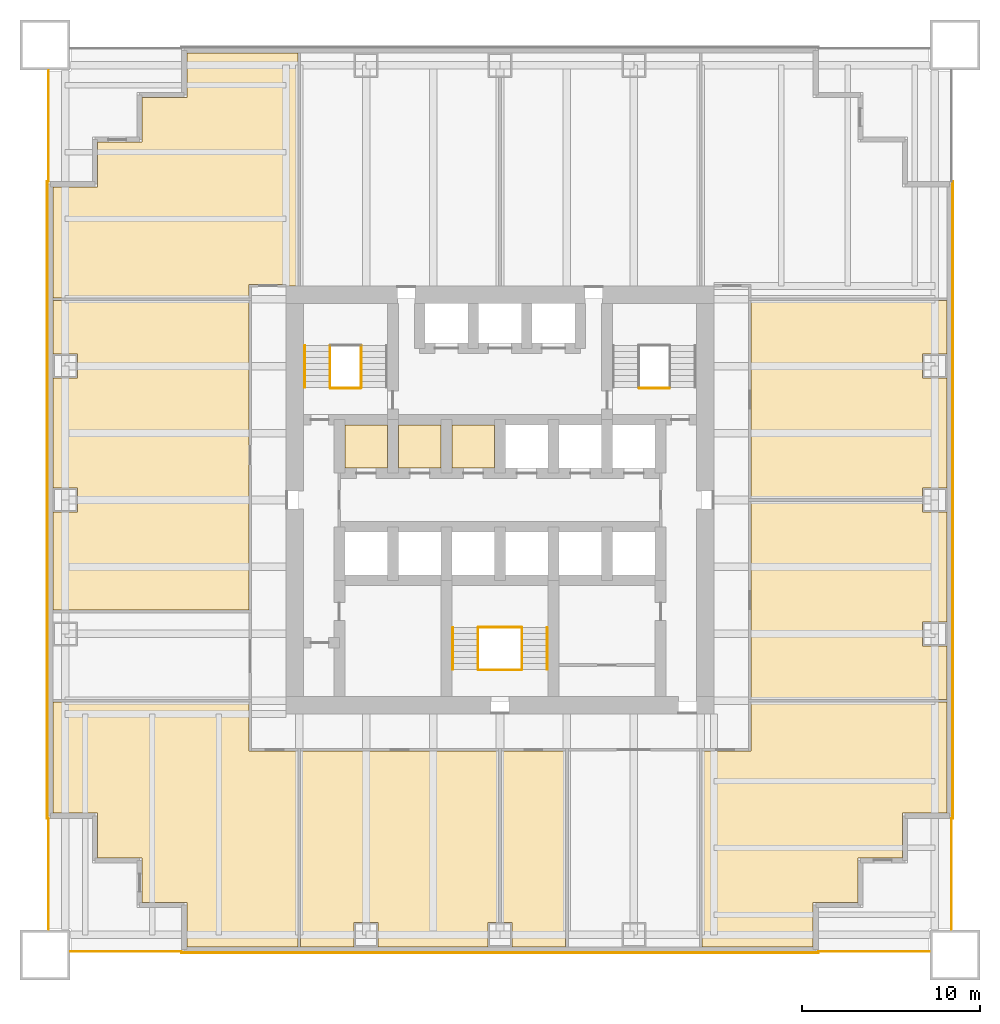
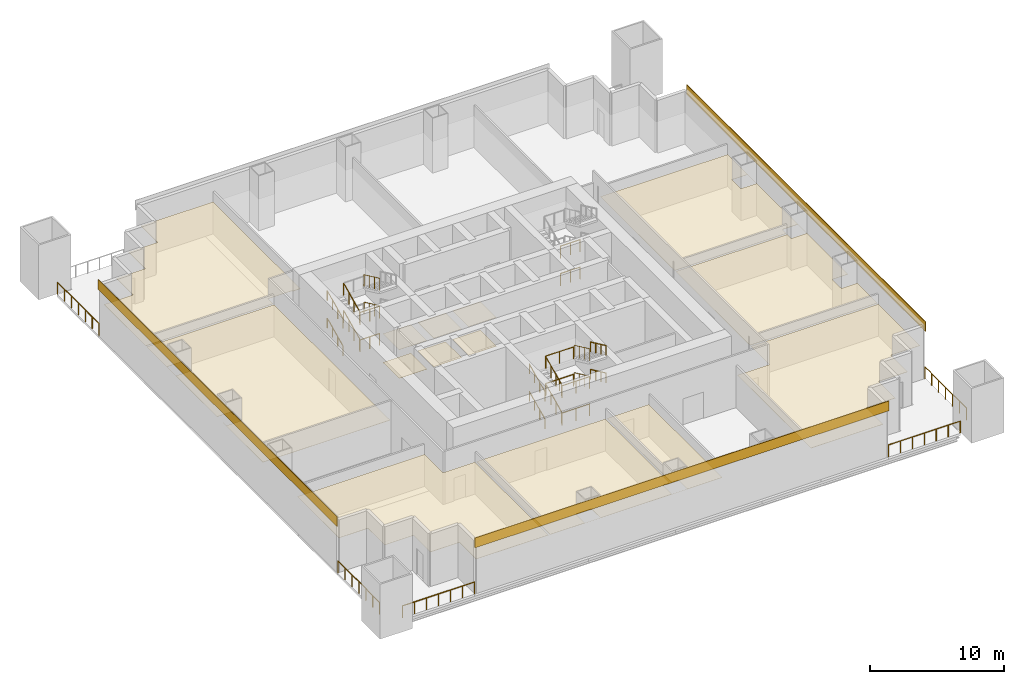
# One storey, part 5 of 6: 27 railings, 17 coverings.
"""IFC4 building model written with IfcOpenShell, lengths in metres."""

from ifc_helpers import new_model, si_unit, direction, frame, origin, origin_2d, place, context, subcontext, project, spatial, polyline, rectangle, circle, outline, extrude, material, layer, layer_set, type_object, element, save


model = new_model("IFC4")

# Units and contexts
model_context = context("Model", 3, precision=1e-05, world=origin(), true_north=direction((0.0, 1.0)))
body_context = subcontext(model_context, "Body", "Model", "MODEL_VIEW")
ifc_project = project(units=[si_unit("LENGTHUNIT", "METRE"), si_unit("AREAUNIT", "SQUARE_METRE"), si_unit("VOLUMEUNIT", "CUBIC_METRE"), si_unit("PLANEANGLEUNIT", "RADIAN"), si_unit("MASSUNIT", "GRAM", prefix="KILO")], contexts=[model_context])

# Site, building, storey
site_placement = place(None, origin())
site = spatial("IfcSite", under=ifc_project, at=site_placement, CompositionType="ELEMENT")
building_placement = place(site_placement, origin())
building = spatial("IfcBuilding", under=site, at=building_placement, Name="Tarangal Relay Tower", CompositionType="ELEMENT")
storey_placement = place(building_placement, frame((0.0, 0.0, 63.39990234375)))
storey = spatial("IfcBuildingStorey", under=building, at=storey_placement, Name="L12", CompositionType="ELEMENT", Elevation=63.39990234375)

# Coverings
ifc_material_1 = material(Name="Anti-static vinyl flooring", Category="plastic")
ifc_layer_1 = layer(ifc_material_1, 0.010009765625)
ifc_layer_set_1 = layer_set([ifc_layer_1], Name="Anti-static vinyl floor")
covering_type_1 = type_object("IfcCoveringType", Name="Anti-static vinyl floor", PredefinedType="FLOORING", material=ifc_layer_set_1)
covering_1_placement = place(storey_placement, origin())
element("IfcCovering", 1, at=covering_1_placement, inside=storey, type_object=covering_type_1, Name="Floor finish FL1 L12-D1", PredefinedType="FLOORING", context=body_context, shape_type="SweptSolid", body=[
    extrude(outline(polyline([(-8.699951171875, 1.800048828125), (-6.300048828125, 1.800048828125), (-6.300048828125, 4.199951171875), (-8.699951171875, 4.199951171875), (-8.699951171875, 1.800048828125)])), origin(), (0.0, 0.0, 1.0), 0.010009765625),
])
covering_2_placement = place(storey_placement, origin())
element("IfcCovering", 2, at=covering_2_placement, inside=storey, type_object=covering_type_1, Name="Floor finish FL1 L12-D2", PredefinedType="FLOORING", context=body_context, shape_type="SweptSolid", body=[
    extrude(outline(polyline([(-5.699951171875, 1.800048828125), (-3.300048828125, 1.800048828125), (-3.300048828125, 4.199951171875), (-5.699951171875, 4.199951171875), (-5.699951171875, 1.800048828125)])), origin(), (0.0, 0.0, 1.0), 0.010009765625),
])
covering_3_placement = place(storey_placement, origin())
element("IfcCovering", 3, at=covering_3_placement, inside=storey, type_object=covering_type_1, Name="Floor finish FL1 L12-D3", PredefinedType="FLOORING", context=body_context, shape_type="SweptSolid", body=[
    extrude(outline(polyline([(-2.699951171875, 1.800048828125), (-0.300048828125, 1.800048828125), (-0.300048828125, 4.199951171875), (-2.699951171875, 4.199951171875), (-2.699951171875, 1.800048828125)])), origin(), (0.0, 0.0, 1.0), 0.010009765625),
])
ifc_material_2 = material(Name="Black anodised aluminium cladding", Category="aluminium")
ifc_layer_2 = layer(ifc_material_2, 0.050048828125)
ifc_layer_set_2 = layer_set([ifc_layer_2], Name="Black metal spandrel band")
covering_type_2 = type_object("IfcCoveringType", Name="Black metal spandrel band", PredefinedType="CLADDING", material=ifc_layer_set_2)
for number, where, z_axis, x_axis, name in (
    (4, (25.375, 0.0, 4.250244140625), (0.0, 0.0, 1.0), (0.0, -1.0, 0.0), "Spandrel band SB1 E L12"),
    (5, (0.0, -25.375, 4.250244140625), (0.0, 0.0, 1.0), (-1.0, 0.0, 0.0), "Spandrel band SB1 S L12"),
    (6, (-25.375, 0.0, 4.250244140625), (0.0, 0.0, 1.0), (0.0, 1.0, 0.0), "Spandrel band SB1 W L12"),
):
    element("IfcCovering", number, at=place(storey_placement, frame(where, z_axis=z_axis, x_axis=x_axis)), inside=storey, type_object=covering_type_2, Name=name, PredefinedType="CLADDING", context=body_context, shape_type="SweptSolid", body=[
        extrude(rectangle(XDim=35.699951171875, YDim=0.050048828125, at=origin_2d()), origin(), (0.0, 0.0, 1.0), 0.89990234375),
    ])

# Railings
ifc_material_3 = material(Name="Steel guard, black finish", Category="steel")
railing_type_1 = type_object("IfcRailingType", Name="Stair guard 1100", PredefinedType="GUARDRAIL", material=ifc_material_3)
railing_1_placement = place(storey_placement, frame((-9.530029296875, 6.300048828125, 0.15625)))
element("IfcRailing", 7, at=railing_1_placement, inside=storey, type_object=railing_type_1, Name="Stair ST-A guard GR1 L12 flight 1", PredefinedType="GUARDRAIL", context=body_context, shape_type="SweptSolid", body=[
    extrude(circle(Radius=0.02392578125, at=origin_2d()), frame((0.0, 0.0, 1.076171875), z_axis=(0.0, 0.90626748934, 0.422704669676), x_axis=(-1.0, 0.0, 0.0)), (0.0, 0.0, 1.0), 2.58740234375),
    extrude(circle(Radius=0.02099609375, at=origin_2d()), origin(), (0.0, 0.0, 1.0), 1.052001953125),
    extrude(circle(Radius=0.02099609375, at=origin_2d()), frame((0.0, 0.78173828125, 0.364501953125)), (0.0, 0.0, 1.0), 1.052001953125),
    extrude(circle(Radius=0.02099609375, at=origin_2d()), frame((0.0, 1.563232421875, 0.729248046875)), (0.0, 0.0, 1.0), 1.052001953125),
    extrude(circle(Radius=0.02099609375, at=origin_2d()), frame((0.0, 2.344970703125, 1.09375)), (0.0, 0.0, 1.0), 1.052001953125),
])
railing_2_placement = place(storey_placement, frame((-7.77001953125, 8.64501953125, 1.406494140625)))
element("IfcRailing", 8, at=railing_2_placement, inside=storey, type_object=railing_type_1, Name="Stair ST-A guard GR1 L12 flight 2", PredefinedType="GUARDRAIL", context=body_context, shape_type="SweptSolid", body=[
    extrude(circle(Radius=0.02392578125, at=origin_2d()), frame((0.0, 0.0, 1.076171875), z_axis=(0.0, -0.906303632821, 0.42262717037), x_axis=(1.0, 0.0, 0.0)), (0.0, 0.0, 1.0), 2.58740234375),
    extrude(circle(Radius=0.02099609375, at=origin_2d()), origin(), (0.0, 0.0, 1.0), 1.052001953125),
    extrude(circle(Radius=0.02099609375, at=origin_2d()), frame((0.0, -0.78173828125, 0.364501953125)), (0.0, 0.0, 1.0), 1.052001953125),
    extrude(circle(Radius=0.02099609375, at=origin_2d()), frame((0.0, -1.563232421875, 0.72900390625)), (0.0, 0.0, 1.0), 1.052001953125),
    extrude(circle(Radius=0.02099609375, at=origin_2d()), frame((0.0, -2.344970703125, 1.093505859375)), (0.0, 0.0, 1.0), 1.052001953125),
])
railing_3_placement = place(storey_placement, frame((-9.530029296875, 6.300048828125, 2.656494140625)))
element("IfcRailing", 9, at=railing_3_placement, inside=storey, type_object=railing_type_1, Name="Stair ST-A guard GR1 L12 flight 3", PredefinedType="GUARDRAIL", context=body_context, shape_type="SweptSolid", body=[
    extrude(circle(Radius=0.02392578125, at=origin_2d()), frame((0.0, 0.0, 1.076171875), z_axis=(0.0, 0.906303632821, 0.42262717037), x_axis=(-1.0, 0.0, 0.0)), (0.0, 0.0, 1.0), 2.58740234375),
    extrude(circle(Radius=0.02099609375, at=origin_2d()), origin(), (0.0, 0.0, 1.0), 1.052001953125),
    extrude(circle(Radius=0.02099609375, at=origin_2d()), frame((0.0, 0.78173828125, 0.364501953125)), (0.0, 0.0, 1.0), 1.052001953125),
    extrude(circle(Radius=0.02099609375, at=origin_2d()), frame((0.0, 1.563232421875, 0.72900390625)), (0.0, 0.0, 1.0), 1.052001953125),
    extrude(circle(Radius=0.02099609375, at=origin_2d()), frame((0.0, 2.344970703125, 1.093505859375)), (0.0, 0.0, 1.0), 1.052001953125),
])
railing_4_placement = place(storey_placement, frame((-7.77001953125, 8.64501953125, 3.906494140625)))
element("IfcRailing", 10, at=railing_4_placement, inside=storey, type_object=railing_type_1, Name="Stair ST-A guard GR1 L12 flight 4", PredefinedType="GUARDRAIL", context=body_context, shape_type="SweptSolid", body=[
    extrude(circle(Radius=0.02392578125, at=origin_2d()), frame((0.0, 0.0, 1.076171875), z_axis=(0.0, -0.906303632821, 0.42262717037), x_axis=(1.0, 0.0, 0.0)), (0.0, 0.0, 1.0), 2.58740234375),
    extrude(circle(Radius=0.02099609375, at=origin_2d()), origin(), (0.0, 0.0, 1.0), 1.052001953125),
    extrude(circle(Radius=0.02099609375, at=origin_2d()), frame((0.0, -0.78173828125, 0.364501953125)), (0.0, 0.0, 1.0), 1.052001953125),
    extrude(circle(Radius=0.02099609375, at=origin_2d()), frame((0.0, -1.563232421875, 0.72900390625)), (0.0, 0.0, 1.0), 1.052001953125),
    extrude(circle(Radius=0.02099609375, at=origin_2d()), frame((0.0, -2.344970703125, 1.093505859375)), (0.0, 0.0, 1.0), 1.052001953125),
])
for number, where, name in (
    (11, (-9.5, 6.27001953125, 0.0), "Stair ST-A landing guard GR1 L12"),
    (12, (-9.5, 6.27001953125, 2.5), "Stair ST-A landing guard GR1 L12"),
    (13, (7.800048828125, 6.27001953125, 0.0), "Stair ST-B landing guard GR1 L12"),
    (14, (7.800048828125, 6.27001953125, 2.5), "Stair ST-B landing guard GR1 L12"),
):
    element("IfcRailing", number, at=place(storey_placement, frame(where)), inside=storey, type_object=railing_type_1, Name=name, PredefinedType="GUARDRAIL", context=body_context, shape_type="SweptSolid", body=[
        extrude(circle(Radius=0.02392578125, at=origin_2d()), frame((0.0, 0.0, 1.076171875), z_axis=(1.0, 0.0, 0.0), x_axis=(0.0, 1.0, 0.0)), (0.0, 0.0, 1.0), 1.699951171875),
        extrude(circle(Radius=0.02099609375, at=origin_2d()), origin(), (0.0, 0.0, 1.0), 1.052001953125),
        extrude(circle(Radius=0.02099609375, at=origin_2d()), frame((0.85009765625, 0.0, 0.0)), (0.0, 0.0, 1.0), 1.052001953125),
        extrude(circle(Radius=0.02099609375, at=origin_2d()), frame((1.699951171875, 0.0, 0.0)), (0.0, 0.0, 1.0), 1.052001953125),
    ])
railing_5_placement = place(storey_placement, frame((-1.22998046875, -9.5, 0.15625)))
element("IfcRailing", 15, at=railing_5_placement, inside=storey, type_object=railing_type_1, Name="Stair ST-C guard GR1 L12 flight 1", PredefinedType="GUARDRAIL", context=body_context, shape_type="SweptSolid", body=[
    extrude(circle(Radius=0.02392578125, at=origin_2d()), frame((0.0, 0.0, 1.076171875), z_axis=(0.0, 0.90626748934, 0.422704669676), x_axis=(-1.0, 0.0, 0.0)), (0.0, 0.0, 1.0), 2.58740234375),
    extrude(circle(Radius=0.02099609375, at=origin_2d()), origin(), (0.0, 0.0, 1.0), 1.052001953125),
    extrude(circle(Radius=0.02099609375, at=origin_2d()), frame((0.0, 0.78173828125, 0.364501953125)), (0.0, 0.0, 1.0), 1.052001953125),
    extrude(circle(Radius=0.02099609375, at=origin_2d()), frame((0.0, 1.563232421875, 0.729248046875)), (0.0, 0.0, 1.0), 1.052001953125),
    extrude(circle(Radius=0.02099609375, at=origin_2d()), frame((0.0, 2.344970703125, 1.09375)), (0.0, 0.0, 1.0), 1.052001953125),
])
railing_6_placement = place(storey_placement, frame((1.22998046875, -7.155029296875, 1.406494140625)))
element("IfcRailing", 16, at=railing_6_placement, inside=storey, type_object=railing_type_1, Name="Stair ST-C guard GR1 L12 flight 2", PredefinedType="GUARDRAIL", context=body_context, shape_type="SweptSolid", body=[
    extrude(circle(Radius=0.02392578125, at=origin_2d()), frame((0.0, 0.0, 1.076171875), z_axis=(0.0, -0.906303632821, 0.42262717037), x_axis=(1.0, 0.0, 0.0)), (0.0, 0.0, 1.0), 2.58740234375),
    extrude(circle(Radius=0.02099609375, at=origin_2d()), origin(), (0.0, 0.0, 1.0), 1.052001953125),
    extrude(circle(Radius=0.02099609375, at=origin_2d()), frame((0.0, -0.78173828125, 0.364501953125)), (0.0, 0.0, 1.0), 1.052001953125),
    extrude(circle(Radius=0.02099609375, at=origin_2d()), frame((0.0, -1.563232421875, 0.72900390625)), (0.0, 0.0, 1.0), 1.052001953125),
    extrude(circle(Radius=0.02099609375, at=origin_2d()), frame((0.0, -2.344970703125, 1.093505859375)), (0.0, 0.0, 1.0), 1.052001953125),
])
railing_7_placement = place(storey_placement, frame((-1.22998046875, -9.5, 2.656494140625)))
element("IfcRailing", 17, at=railing_7_placement, inside=storey, type_object=railing_type_1, Name="Stair ST-C guard GR1 L12 flight 3", PredefinedType="GUARDRAIL", context=body_context, shape_type="SweptSolid", body=[
    extrude(circle(Radius=0.02392578125, at=origin_2d()), frame((0.0, 0.0, 1.076171875), z_axis=(0.0, 0.906303632821, 0.42262717037), x_axis=(-1.0, 0.0, 0.0)), (0.0, 0.0, 1.0), 2.58740234375),
    extrude(circle(Radius=0.02099609375, at=origin_2d()), origin(), (0.0, 0.0, 1.0), 1.052001953125),
    extrude(circle(Radius=0.02099609375, at=origin_2d()), frame((0.0, 0.78173828125, 0.364501953125)), (0.0, 0.0, 1.0), 1.052001953125),
    extrude(circle(Radius=0.02099609375, at=origin_2d()), frame((0.0, 1.563232421875, 0.72900390625)), (0.0, 0.0, 1.0), 1.052001953125),
    extrude(circle(Radius=0.02099609375, at=origin_2d()), frame((0.0, 2.344970703125, 1.093505859375)), (0.0, 0.0, 1.0), 1.052001953125),
])
railing_8_placement = place(storey_placement, frame((1.22998046875, -7.155029296875, 3.906494140625)))
element("IfcRailing", 18, at=railing_8_placement, inside=storey, type_object=railing_type_1, Name="Stair ST-C guard GR1 L12 flight 4", PredefinedType="GUARDRAIL", context=body_context, shape_type="SweptSolid", body=[
    extrude(circle(Radius=0.02392578125, at=origin_2d()), frame((0.0, 0.0, 1.076171875), z_axis=(0.0, -0.906303632821, 0.42262717037), x_axis=(1.0, 0.0, 0.0)), (0.0, 0.0, 1.0), 2.58740234375),
    extrude(circle(Radius=0.02099609375, at=origin_2d()), origin(), (0.0, 0.0, 1.0), 1.052001953125),
    extrude(circle(Radius=0.02099609375, at=origin_2d()), frame((0.0, -0.78173828125, 0.364501953125)), (0.0, 0.0, 1.0), 1.052001953125),
    extrude(circle(Radius=0.02099609375, at=origin_2d()), frame((0.0, -1.563232421875, 0.72900390625)), (0.0, 0.0, 1.0), 1.052001953125),
    extrude(circle(Radius=0.02099609375, at=origin_2d()), frame((0.0, -2.344970703125, 1.093505859375)), (0.0, 0.0, 1.0), 1.052001953125),
])
for number, where, name in (
    (19, (-1.199951171875, -9.530029296875, 0.0), "Stair ST-C landing guard GR1 L12"),
    (20, (-1.199951171875, -7.125, 1.25), "Stair ST-C landing guard GR1 L12"),
    (21, (-1.199951171875, -9.530029296875, 2.5), "Stair ST-C landing guard GR1 L12"),
    (22, (-1.199951171875, -7.125, 3.75), "Stair ST-C landing guard GR1 L12"),
):
    element("IfcRailing", number, at=place(storey_placement, frame(where)), inside=storey, type_object=railing_type_1, Name=name, PredefinedType="GUARDRAIL", context=body_context, shape_type="SweptSolid", body=[
        extrude(circle(Radius=0.02392578125, at=origin_2d()), frame((0.0, 0.0, 1.076171875), z_axis=(1.0, 0.0, 0.0), x_axis=(0.0, 1.0, 0.0)), (0.0, 0.0, 1.0), 2.39990234375),
        extrude(circle(Radius=0.02099609375, at=origin_2d()), origin(), (0.0, 0.0, 1.0), 1.052001953125),
        extrude(circle(Radius=0.02099609375, at=origin_2d()), frame((1.199951171875, 0.0, 0.0)), (0.0, 0.0, 1.0), 1.052001953125),
        extrude(circle(Radius=0.02099609375, at=origin_2d()), frame((2.39990234375, 0.0, 0.0)), (0.0, 0.0, 1.0), 1.052001953125),
    ])
ifc_material_4 = material(Name="Steel handrail, black finish", Category="steel")
railing_type_2 = type_object("IfcRailingType", Name="Stair handrail 900", PredefinedType="HANDRAIL", material=ifc_material_4)
railing_9_placement = place(storey_placement, frame((-10.93994140625, 6.300048828125, 0.15625)))
element("IfcRailing", 23, at=railing_9_placement, inside=storey, type_object=railing_type_2, Name="Stair ST-A handrail HR1 L12 flight 1", PredefinedType="HANDRAIL", context=body_context, shape_type="SweptSolid", body=[
    extrude(circle(Radius=0.02392578125, at=origin_2d()), frame((0.0, 0.0, 0.8759765625), z_axis=(0.0, 0.90626748934, 0.422704669676), x_axis=(-1.0, 0.0, 0.0)), (0.0, 0.0, 1.0), 2.58740234375),
    extrude(circle(Radius=0.02099609375, at=origin_2d()), origin(), (0.0, 0.0, 1.0), 0.851806640625),
    extrude(circle(Radius=0.02099609375, at=origin_2d()), frame((0.0, 0.78173828125, 0.364501953125)), (0.0, 0.0, 1.0), 0.851806640625),
    extrude(circle(Radius=0.02099609375, at=origin_2d()), frame((0.0, 1.563232421875, 0.729248046875)), (0.0, 0.0, 1.0), 0.851806640625),
    extrude(circle(Radius=0.02099609375, at=origin_2d()), frame((0.0, 2.344970703125, 1.09375)), (0.0, 0.0, 1.0), 0.851806640625),
])
railing_10_placement = place(storey_placement, frame((-10.93994140625, 6.300048828125, 2.656494140625)))
element("IfcRailing", 24, at=railing_10_placement, inside=storey, type_object=railing_type_2, Name="Stair ST-A handrail HR1 L12 flight 3", PredefinedType="HANDRAIL", context=body_context, shape_type="SweptSolid", body=[
    extrude(circle(Radius=0.02392578125, at=origin_2d()), frame((0.0, 0.0, 0.8759765625), z_axis=(0.0, 0.906303632821, 0.42262717037), x_axis=(-1.0, 0.0, 0.0)), (0.0, 0.0, 1.0), 2.58740234375),
    extrude(circle(Radius=0.02099609375, at=origin_2d()), origin(), (0.0, 0.0, 1.0), 0.851806640625),
    extrude(circle(Radius=0.02099609375, at=origin_2d()), frame((0.0, 0.78173828125, 0.364501953125)), (0.0, 0.0, 1.0), 0.851806640625),
    extrude(circle(Radius=0.02099609375, at=origin_2d()), frame((0.0, 1.563232421875, 0.72900390625)), (0.0, 0.0, 1.0), 0.851806640625),
    extrude(circle(Radius=0.02099609375, at=origin_2d()), frame((0.0, 2.344970703125, 1.093505859375)), (0.0, 0.0, 1.0), 0.851806640625),
])
railing_11_placement = place(storey_placement, frame((-2.639892578125, -9.5, 0.15625)))
element("IfcRailing", 25, at=railing_11_placement, inside=storey, type_object=railing_type_2, Name="Stair ST-C handrail HR1 L12 flight 1", PredefinedType="HANDRAIL", context=body_context, shape_type="SweptSolid", body=[
    extrude(circle(Radius=0.02392578125, at=origin_2d()), frame((0.0, 0.0, 0.8759765625), z_axis=(0.0, 0.90626748934, 0.422704669676), x_axis=(-1.0, 0.0, 0.0)), (0.0, 0.0, 1.0), 2.58740234375),
    extrude(circle(Radius=0.02099609375, at=origin_2d()), origin(), (0.0, 0.0, 1.0), 0.851806640625),
    extrude(circle(Radius=0.02099609375, at=origin_2d()), frame((0.0, 0.78173828125, 0.364501953125)), (0.0, 0.0, 1.0), 0.851806640625),
    extrude(circle(Radius=0.02099609375, at=origin_2d()), frame((0.0, 1.563232421875, 0.729248046875)), (0.0, 0.0, 1.0), 0.851806640625),
    extrude(circle(Radius=0.02099609375, at=origin_2d()), frame((0.0, 2.344970703125, 1.09375)), (0.0, 0.0, 1.0), 0.851806640625),
])
railing_12_placement = place(storey_placement, frame((2.639892578125, -7.155029296875, 1.406494140625)))
element("IfcRailing", 26, at=railing_12_placement, inside=storey, type_object=railing_type_2, Name="Stair ST-C handrail HR1 L12 flight 2", PredefinedType="HANDRAIL", context=body_context, shape_type="SweptSolid", body=[
    extrude(circle(Radius=0.02392578125, at=origin_2d()), frame((0.0, 0.0, 0.8759765625), z_axis=(0.0, -0.906303632821, 0.42262717037), x_axis=(1.0, 0.0, 0.0)), (0.0, 0.0, 1.0), 2.58740234375),
    extrude(circle(Radius=0.02099609375, at=origin_2d()), origin(), (0.0, 0.0, 1.0), 0.851806640625),
    extrude(circle(Radius=0.02099609375, at=origin_2d()), frame((0.0, -0.78173828125, 0.364501953125)), (0.0, 0.0, 1.0), 0.851806640625),
    extrude(circle(Radius=0.02099609375, at=origin_2d()), frame((0.0, -1.563232421875, 0.72900390625)), (0.0, 0.0, 1.0), 0.851806640625),
    extrude(circle(Radius=0.02099609375, at=origin_2d()), frame((0.0, -2.344970703125, 1.093505859375)), (0.0, 0.0, 1.0), 0.851806640625),
])
railing_13_placement = place(storey_placement, frame((-2.639892578125, -9.5, 2.656494140625)))
element("IfcRailing", 27, at=railing_13_placement, inside=storey, type_object=railing_type_2, Name="Stair ST-C handrail HR1 L12 flight 3", PredefinedType="HANDRAIL", context=body_context, shape_type="SweptSolid", body=[
    extrude(circle(Radius=0.02392578125, at=origin_2d()), frame((0.0, 0.0, 0.8759765625), z_axis=(0.0, 0.906303632821, 0.42262717037), x_axis=(-1.0, 0.0, 0.0)), (0.0, 0.0, 1.0), 2.58740234375),
    extrude(circle(Radius=0.02099609375, at=origin_2d()), origin(), (0.0, 0.0, 1.0), 0.851806640625),
    extrude(circle(Radius=0.02099609375, at=origin_2d()), frame((0.0, 0.78173828125, 0.364501953125)), (0.0, 0.0, 1.0), 0.851806640625),
    extrude(circle(Radius=0.02099609375, at=origin_2d()), frame((0.0, 1.563232421875, 0.72900390625)), (0.0, 0.0, 1.0), 0.851806640625),
    extrude(circle(Radius=0.02099609375, at=origin_2d()), frame((0.0, 2.344970703125, 1.093505859375)), (0.0, 0.0, 1.0), 0.851806640625),
])
railing_14_placement = place(storey_placement, frame((2.639892578125, -7.155029296875, 3.906494140625)))
element("IfcRailing", 28, at=railing_14_placement, inside=storey, type_object=railing_type_2, Name="Stair ST-C handrail HR1 L12 flight 4", PredefinedType="HANDRAIL", context=body_context, shape_type="SweptSolid", body=[
    extrude(circle(Radius=0.02392578125, at=origin_2d()), frame((0.0, 0.0, 0.8759765625), z_axis=(0.0, -0.906303632821, 0.42262717037), x_axis=(1.0, 0.0, 0.0)), (0.0, 0.0, 1.0), 2.58740234375),
    extrude(circle(Radius=0.02099609375, at=origin_2d()), origin(), (0.0, 0.0, 1.0), 0.851806640625),
    extrude(circle(Radius=0.02099609375, at=origin_2d()), frame((0.0, -0.78173828125, 0.364501953125)), (0.0, 0.0, 1.0), 0.851806640625),
    extrude(circle(Radius=0.02099609375, at=origin_2d()), frame((0.0, -1.563232421875, 0.72900390625)), (0.0, 0.0, 1.0), 0.851806640625),
    extrude(circle(Radius=0.02099609375, at=origin_2d()), frame((0.0, -2.344970703125, 1.093505859375)), (0.0, 0.0, 1.0), 0.851806640625),
])

# Coverings
ifc_material_5 = material(Name="Mineral fibre ceiling tiles", Category="gypsum")
ifc_layer_3 = layer(ifc_material_5, 0.02001953125)
ifc_layer_set_3 = layer_set([ifc_layer_3], Name="Suspended ceiling")
covering_type_3 = type_object("IfcCoveringType", Name="Suspended ceiling", PredefinedType="CEILING", material=ifc_layer_set_3)
covering_4_placement = place(storey_placement, frame((0.0, 0.0, 2.60009765625)))
element("IfcCovering", 29, at=covering_4_placement, inside=storey, type_object=covering_type_3, Name="Suspended ceiling CL1 L12-D1", PredefinedType="CEILING", context=body_context, shape_type="SweptSolid", body=[
    extrude(outline(polyline([(-8.699951171875, 1.800048828125), (-6.300048828125, 1.800048828125), (-6.300048828125, 4.199951171875), (-8.699951171875, 4.199951171875), (-8.699951171875, 1.800048828125)])), origin(), (0.0, 0.0, 1.0), 0.02001953125),
])
covering_5_placement = place(storey_placement, frame((0.0, 0.0, 2.60009765625)))
element("IfcCovering", 30, at=covering_5_placement, inside=storey, type_object=covering_type_3, Name="Suspended ceiling CL1 L12-D2", PredefinedType="CEILING", context=body_context, shape_type="SweptSolid", body=[
    extrude(outline(polyline([(-5.699951171875, 1.800048828125), (-3.300048828125, 1.800048828125), (-3.300048828125, 4.199951171875), (-5.699951171875, 4.199951171875), (-5.699951171875, 1.800048828125)])), origin(), (0.0, 0.0, 1.0), 0.02001953125),
])
covering_6_placement = place(storey_placement, frame((0.0, 0.0, 2.60009765625)))
element("IfcCovering", 31, at=covering_6_placement, inside=storey, type_object=covering_type_3, Name="Suspended ceiling CL1 L12-D3", PredefinedType="CEILING", context=body_context, shape_type="SweptSolid", body=[
    extrude(outline(polyline([(-2.699951171875, 1.800048828125), (-0.300048828125, 1.800048828125), (-0.300048828125, 4.199951171875), (-2.699951171875, 4.199951171875), (-2.699951171875, 1.800048828125)])), origin(), (0.0, 0.0, 1.0), 0.02001953125),
])
covering_7_placement = place(storey_placement, frame((0.0, 0.0, 2.900146484375)))
element("IfcCovering", 32, at=covering_7_placement, inside=storey, type_object=covering_type_3, Name="Suspended ceiling CL1 L12-04", PredefinedType="CEILING", context=body_context, shape_type="SweptSolid", body=[
    extrude(outline(polyline([(25.050048828125, 0.0), (25.050048828125, 11.175048828125), (14.074951171875, 11.175048828125), (14.074951171875, 0.074951171875), (23.68994140625, 0.074951171875), (23.68994140625, 0.675048828125), (25.0400390625, 0.675048828125), (25.0400390625, 0.0), (25.050048828125, 0.0)]), holes=[polyline([(25.0400390625, 6.824951171875), (25.0400390625, 8.175048828125), (23.68994140625, 8.175048828125), (23.68994140625, 6.824951171875), (25.0400390625, 6.824951171875)])]), origin(), (0.0, 0.0, 1.0), 0.02001953125),
])
covering_8_placement = place(storey_placement, frame((0.0, 0.0, 2.900146484375)))
element("IfcCovering", 33, at=covering_8_placement, inside=storey, type_object=covering_type_3, Name="Suspended ceiling CL1 L12-05", PredefinedType="CEILING", context=body_context, shape_type="SweptSolid", body=[
    extrude(outline(polyline([(25.050048828125, -11.175048828125), (25.050048828125, 0.0), (25.0400390625, 0.0), (25.0400390625, -0.675048828125), (23.68994140625, -0.675048828125), (23.68994140625, -0.074951171875), (14.074951171875, -0.074951171875), (14.074951171875, -11.175048828125), (25.050048828125, -11.175048828125)]), holes=[polyline([(25.0400390625, -8.175048828125), (25.0400390625, -6.824951171875), (23.68994140625, -6.824951171875), (23.68994140625, -8.175048828125), (25.0400390625, -8.175048828125)])]), origin(), (0.0, 0.0, 1.0), 0.02001953125),
])
covering_9_placement = place(storey_placement, frame((0.0, 0.0, 2.900146484375)))
element("IfcCovering", 34, at=covering_9_placement, inside=storey, type_object=covering_type_3, Name="Suspended ceiling CL1 L12-07", PredefinedType="CEILING", context=body_context, shape_type="SweptSolid", body=[
    extrude(outline(polyline([(0.0, -25.050048828125), (3.675048828125, -25.050048828125), (3.675048828125, -14.074951171875), (0.074951171875, -14.074951171875), (0.074951171875, -23.68994140625), (0.675048828125, -23.68994140625), (0.675048828125, -25.0400390625), (0.0, -25.0400390625), (0.0, -25.050048828125)])), origin(), (0.0, 0.0, 1.0), 0.02001953125),
])
covering_10_placement = place(storey_placement, frame((0.0, 0.0, 2.900146484375)))
element("IfcCovering", 35, at=covering_10_placement, inside=storey, type_object=covering_type_3, Name="Suspended ceiling CL1 L12-08", PredefinedType="CEILING", context=body_context, shape_type="SweptSolid", body=[
    extrude(outline(polyline([(-11.175048828125, -25.050048828125), (0.0, -25.050048828125), (0.0, -25.0400390625), (-0.675048828125, -25.0400390625), (-0.675048828125, -23.68994140625), (-0.074951171875, -23.68994140625), (-0.074951171875, -14.074951171875), (-11.175048828125, -14.074951171875), (-11.175048828125, -25.050048828125)]), holes=[polyline([(-6.824951171875, -25.0400390625), (-6.824951171875, -23.68994140625), (-8.175048828125, -23.68994140625), (-8.175048828125, -25.0400390625), (-6.824951171875, -25.0400390625)])]), origin(), (0.0, 0.0, 1.0), 0.02001953125),
])
covering_11_placement = place(storey_placement, frame((0.0, 0.0, 2.900146484375)))
element("IfcCovering", 36, at=covering_11_placement, inside=storey, type_object=covering_type_3, Name="Suspended ceiling CL1 L12-10", PredefinedType="CEILING", context=body_context, shape_type="SweptSolid", body=[
    extrude(outline(polyline([(-25.050048828125, 11.175048828125), (-25.050048828125, -6.175048828125), (-14.074951171875, -6.175048828125), (-14.074951171875, 11.175048828125), (-25.050048828125, 11.175048828125)]), holes=[polyline([(-23.68994140625, -0.675048828125), (-23.68994140625, 0.675048828125), (-25.0400390625, 0.675048828125), (-25.0400390625, -0.675048828125), (-23.68994140625, -0.675048828125)]), polyline([(-23.68994140625, 6.824951171875), (-23.68994140625, 8.175048828125), (-25.0400390625, 8.175048828125), (-25.0400390625, 6.824951171875), (-23.68994140625, 6.824951171875)])]), origin(), (0.0, 0.0, 1.0), 0.02001953125),
])
covering_12_placement = place(storey_placement, frame((0.0, 0.0, 2.900146484375)))
element("IfcCovering", 37, at=covering_12_placement, inside=storey, type_object=covering_type_3, Name="Suspended ceiling CL1 L12-12", PredefinedType="CEILING", context=body_context, shape_type="SweptSolid", body=[
    extrude(outline(polyline([(25.050048828125, -17.550048828125), (25.050048828125, -11.324951171875), (14.074951171875, -11.324951171875), (14.074951171875, -14.074951171875), (11.324951171875, -14.074951171875), (11.324951171875, -25.050048828125), (17.550048828125, -25.050048828125), (17.550048828125, -22.550048828125), (20.050048828125, -22.550048828125), (20.050048828125, -20.050048828125), (22.550048828125, -20.050048828125), (22.550048828125, -17.550048828125), (25.050048828125, -17.550048828125)])), origin(), (0.0, 0.0, 1.0), 0.02001953125),
])
covering_13_placement = place(storey_placement, frame((0.0, 0.0, 2.900146484375)))
element("IfcCovering", 38, at=covering_13_placement, inside=storey, type_object=covering_type_3, Name="Suspended ceiling CL1 L12-13", PredefinedType="CEILING", context=body_context, shape_type="SweptSolid", body=[
    extrude(outline(polyline([(-17.550048828125, -22.550048828125), (-17.550048828125, -25.050048828125), (-11.324951171875, -25.050048828125), (-11.324951171875, -14.074951171875), (-14.074951171875, -14.074951171875), (-14.074951171875, -11.324951171875), (-25.050048828125, -11.324951171875), (-25.050048828125, -17.550048828125), (-22.550048828125, -17.550048828125), (-22.550048828125, -20.050048828125), (-20.050048828125, -20.050048828125), (-20.050048828125, -22.550048828125), (-17.550048828125, -22.550048828125)])), origin(), (0.0, 0.0, 1.0), 0.02001953125),
])
covering_14_placement = place(storey_placement, frame((0.0, 0.0, 2.900146484375)))
element("IfcCovering", 39, at=covering_14_placement, inside=storey, type_object=covering_type_3, Name="Suspended ceiling CL1 L12-14", PredefinedType="CEILING", context=body_context, shape_type="SweptSolid", body=[
    extrude(outline(polyline([(-22.550048828125, 17.550048828125), (-25.050048828125, 17.550048828125), (-25.050048828125, 11.324951171875), (-14.074951171875, 11.324951171875), (-14.074951171875, 12.074951171875), (-12.0, 12.074951171875), (-12.0, 12.0), (-11.324951171875, 12.0), (-11.324951171875, 25.050048828125), (-17.550048828125, 25.050048828125), (-17.550048828125, 22.550048828125), (-20.050048828125, 22.550048828125), (-20.050048828125, 20.050048828125), (-22.550048828125, 20.050048828125), (-22.550048828125, 17.550048828125)])), origin(), (0.0, 0.0, 1.0), 0.02001953125),
])

# Railings
ifc_material_6 = material(Name="Black steel guard with glass infill", Category="steel")
railing_type_3 = type_object("IfcRailingType", Name="Terrace guard 1100", PredefinedType="GUARDRAIL", material=ifc_material_6)
railing_15_placement = place(storey_placement, frame((25.300048828125, -17.85009765625, 0.0)))
element("IfcRailing", 40, at=railing_15_placement, inside=storey, type_object=railing_type_3, Name="Terrace guard GR2 SE L12", PredefinedType="GUARDRAIL", context=body_context, shape_type="SweptSolid", body=[
    extrude(circle(Radius=0.02392578125, at=origin_2d()), frame((0.0, 0.0, 1.076171875), z_axis=(0.0, -1.0, 0.0), x_axis=(1.0, 0.0, 0.0)), (0.0, 0.0, 1.0), 6.199951171875),
    extrude(circle(Radius=0.02099609375, at=origin_2d()), origin(), (0.0, 0.0, 1.0), 1.052001953125),
    extrude(circle(Radius=0.02099609375, at=origin_2d()), frame((0.0, -1.033203125, 0.0)), (0.0, 0.0, 1.0), 1.052001953125),
    extrude(circle(Radius=0.02099609375, at=origin_2d()), frame((0.0, -2.066650390625, 0.0)), (0.0, 0.0, 1.0), 1.052001953125),
    extrude(circle(Radius=0.02099609375, at=origin_2d()), frame((0.0, -3.10009765625, 0.0)), (0.0, 0.0, 1.0), 1.052001953125),
    extrude(circle(Radius=0.02099609375, at=origin_2d()), frame((0.0, -4.13330078125, 0.0)), (0.0, 0.0, 1.0), 1.052001953125),
    extrude(circle(Radius=0.02099609375, at=origin_2d()), frame((0.0, -5.16650390625, 0.0)), (0.0, 0.0, 1.0), 1.052001953125),
    extrude(circle(Radius=0.02099609375, at=origin_2d()), frame((0.0, -6.199951171875, 0.0)), (0.0, 0.0, 1.0), 1.052001953125),
])
for number, where, name in (
    (41, (24.050048828125, -25.300048828125, 0.0), "Terrace guard GR2 SE L12"),
    (42, (-17.85009765625, -25.300048828125, 0.0), "Terrace guard GR2 SW L12"),
):
    element("IfcRailing", number, at=place(storey_placement, frame(where)), inside=storey, type_object=railing_type_3, Name=name, PredefinedType="GUARDRAIL", context=body_context, shape_type="SweptSolid", body=[
        extrude(circle(Radius=0.02392578125, at=origin_2d()), frame((0.0, 0.0, 1.076171875), z_axis=(-1.0, 0.0, 0.0), x_axis=(0.0, -1.0, 0.0)), (0.0, 0.0, 1.0), 6.199951171875),
        extrude(circle(Radius=0.02099609375, at=origin_2d()), origin(), (0.0, 0.0, 1.0), 1.052001953125),
        extrude(circle(Radius=0.02099609375, at=origin_2d()), frame((-1.033203125, 0.0, 0.0)), (0.0, 0.0, 1.0), 1.052001953125),
        extrude(circle(Radius=0.02099609375, at=origin_2d()), frame((-2.066650390625, 0.0, 0.0)), (0.0, 0.0, 1.0), 1.052001953125),
        extrude(circle(Radius=0.02099609375, at=origin_2d()), frame((-3.10009765625, 0.0, 0.0)), (0.0, 0.0, 1.0), 1.052001953125),
        extrude(circle(Radius=0.02099609375, at=origin_2d()), frame((-4.13330078125, 0.0, 0.0)), (0.0, 0.0, 1.0), 1.052001953125),
        extrude(circle(Radius=0.02099609375, at=origin_2d()), frame((-5.16650390625, 0.0, 0.0)), (0.0, 0.0, 1.0), 1.052001953125),
        extrude(circle(Radius=0.02099609375, at=origin_2d()), frame((-6.199951171875, 0.0, 0.0)), (0.0, 0.0, 1.0), 1.052001953125),
    ])
for number, where, name in (
    (43, (-25.300048828125, -24.050048828125, 0.0), "Terrace guard GR2 SW L12"),
    (44, (-25.300048828125, 17.85009765625, 0.0), "Terrace guard GR2 NW L12"),
):
    element("IfcRailing", number, at=place(storey_placement, frame(where)), inside=storey, type_object=railing_type_3, Name=name, PredefinedType="GUARDRAIL", context=body_context, shape_type="SweptSolid", body=[
        extrude(circle(Radius=0.02392578125, at=origin_2d()), frame((0.0, 0.0, 1.076171875), z_axis=(0.0, 1.0, 0.0), x_axis=(-1.0, 0.0, 0.0)), (0.0, 0.0, 1.0), 6.199951171875),
        extrude(circle(Radius=0.02099609375, at=origin_2d()), origin(), (0.0, 0.0, 1.0), 1.052001953125),
        extrude(circle(Radius=0.02099609375, at=origin_2d()), frame((0.0, 1.033203125, 0.0)), (0.0, 0.0, 1.0), 1.052001953125),
        extrude(circle(Radius=0.02099609375, at=origin_2d()), frame((0.0, 2.066650390625, 0.0)), (0.0, 0.0, 1.0), 1.052001953125),
        extrude(circle(Radius=0.02099609375, at=origin_2d()), frame((0.0, 3.10009765625, 0.0)), (0.0, 0.0, 1.0), 1.052001953125),
        extrude(circle(Radius=0.02099609375, at=origin_2d()), frame((0.0, 4.13330078125, 0.0)), (0.0, 0.0, 1.0), 1.052001953125),
        extrude(circle(Radius=0.02099609375, at=origin_2d()), frame((0.0, 5.16650390625, 0.0)), (0.0, 0.0, 1.0), 1.052001953125),
        extrude(circle(Radius=0.02099609375, at=origin_2d()), frame((0.0, 6.199951171875, 0.0)), (0.0, 0.0, 1.0), 1.052001953125),
    ])

save(model, "model.ifc")
